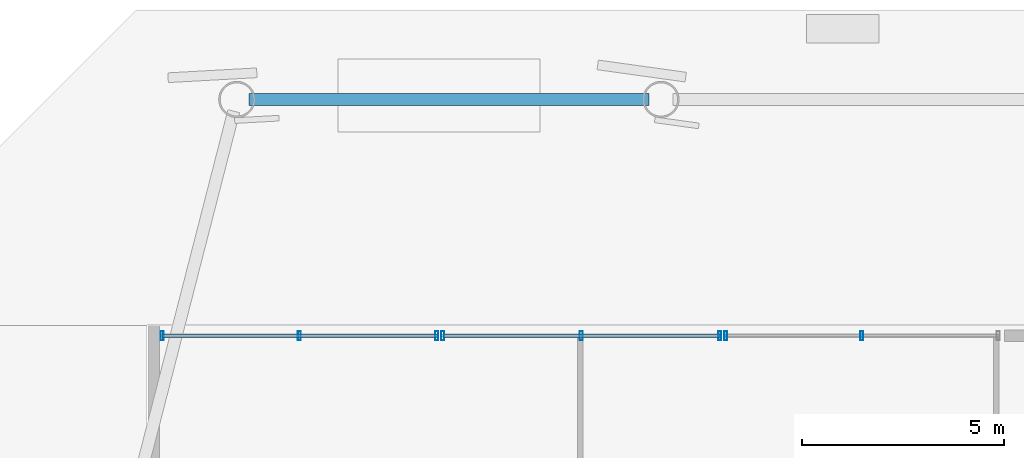
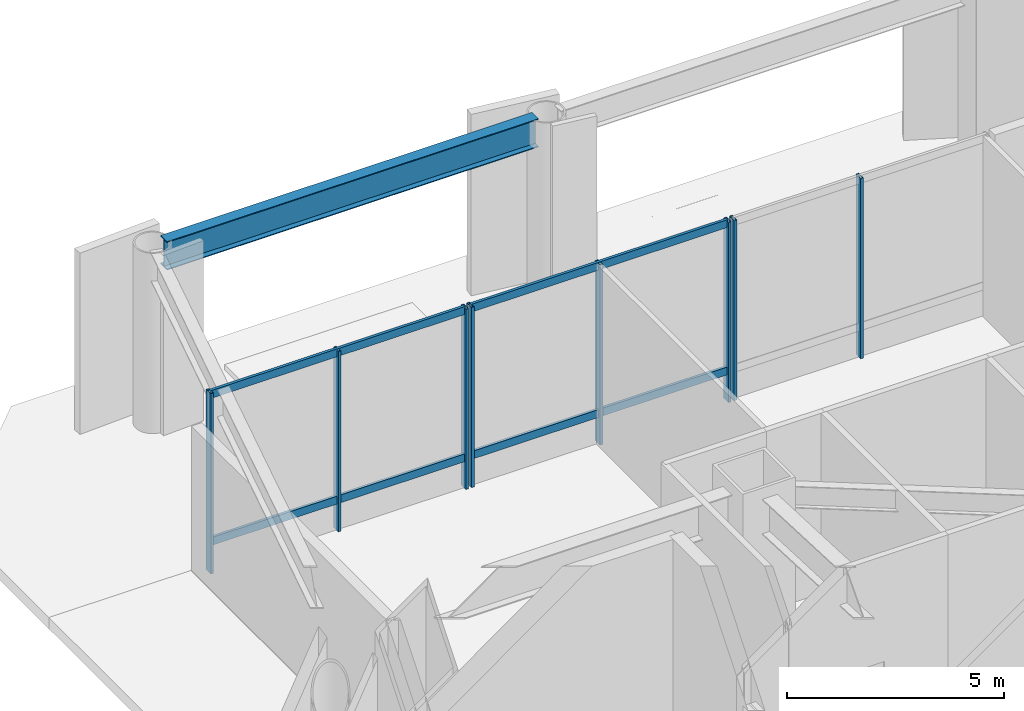
# One storey, part 4 of 19: 12 members, 1 beam, 3 elements without a shape of their own.
"""IFC4 building model written with IfcOpenShell, lengths in metres."""

from ifc_helpers import new_model, si_unit, direction, frame, origin, origin_2d, place, context, subcontext, project, spatial, hollow_rectangle, i_section, extrude, source, transform, mapped, material, material_profile, profile_set, type_object, type_shapes, element, aggregate, save


model = new_model("IFC4")

# Units and contexts
model_context = context("Model", 3, precision=1e-05, world=origin(), true_north=direction((0.0, 1.0)))
body_context = subcontext(model_context, "Body", "Model", "MODEL_VIEW")
ifc_project = project(units=[si_unit("LENGTHUNIT", "METRE"), si_unit("AREAUNIT", "SQUARE_METRE"), si_unit("VOLUMEUNIT", "CUBIC_METRE"), si_unit("PLANEANGLEUNIT", "RADIAN"), si_unit("MASSUNIT", "GRAM", prefix="KILO")], contexts=[model_context])

# Site, building, storey
site_placement = place(None, origin())
site = spatial("IfcSite", under=ifc_project, at=site_placement, CompositionType="ELEMENT")
building_placement = place(site_placement, origin())
building = spatial("IfcBuilding", under=site, at=building_placement, Name="Caelisora Broadcast Tower", CompositionType="ELEMENT")
storey_placement = place(building_placement, origin())
storey = spatial("IfcBuildingStorey", under=building, at=storey_placement, Name="L00", CompositionType="ELEMENT", Elevation=0.0)

# Beam
ifc_material_1 = material(Name="Steel Grade 350 (AS/NZS 3679.2)", Category="steel")
ifc_material_profile_1 = material_profile(ifc_material_1, i_section(OverallWidth=0.300048828125, OverallDepth=0.800048828125, WebThickness=0.013916015625, FlangeThickness=0.02392578125, at=origin_2d()), Name="Steel Grade 350 (AS/NZS 3679.2)")
ifc_profile_set_1 = profile_set([ifc_material_profile_1], Name="Steel Grade 350 (AS/NZS 3679.2)")
beam_type = type_object("IfcBeamType", Name="PG02", PredefinedType="BEAM", material=ifc_profile_set_1)
shared_shape_1 = source(origin(), body_context, "Body", "SweptSolid", [
    extrude(i_section(OverallWidth=0.300048828125, OverallDepth=0.800048828125, WebThickness=0.013916015625, FlangeThickness=0.02392578125, at=origin_2d()), origin(), (0.0, 0.0, 1.0), 9.89990234375),
])
type_shapes(beam_type, [shared_shape_1])
beam_placement = place(storey_placement, frame((6.300048828125, 55.800048828125, 4.679931640625), z_axis=(1.0, 0.0, 0.0), x_axis=(0.0, 1.0, 0.0)))
element("IfcBeam", 1, at=beam_placement, inside=storey, type_object=beam_type, Name="L00 beam PG02", PredefinedType="BEAM", context=body_context, shape_type="MappedRepresentation", body=[
    mapped(shared_shape_1, transform((0.0, 0.0, 0.0), scale=1.0)),
])

# Curtain wall, members
ifc_material_2 = material(Name="Unitised Aluminium and Low-E Glass Curtain Wall", Category="glass")
curtain_wall_type = type_object("IfcCurtainWallType", Name="CW-COL", PredefinedType="NOTDEFINED", material=ifc_material_2)
curtain_wall_1_placement = place(storey_placement, origin())
curtain_wall_1 = element("IfcCurtainWall", 2, at=curtain_wall_1_placement, inside=storey, type_object=curtain_wall_type, Name="L00 curtain wall CW-COL", PredefinedType="NOTDEFINED")
ifc_material_3 = material(Name="Aluminium 6063-T6 Anodised Terracotta Bronze", Category="aluminium")
ifc_material_profile_2 = material_profile(ifc_material_3, hollow_rectangle(XDim=0.074951171875, YDim=0.219970703125, WallThickness=0.00390625, at=origin_2d()), Name="Aluminium 6063-T6 Anodised Terracotta Bronze")
ifc_profile_set_2 = profile_set([ifc_material_profile_2], Name="Aluminium 6063-T6 Anodised Terracotta Bronze")
member_type_1 = type_object("IfcMemberType", Name="CWM-01", PredefinedType="MULLION", material=ifc_profile_set_2)
shared_shape_2 = source(origin(), body_context, "Body", "SweptSolid", [
    extrude(hollow_rectangle(XDim=0.074951171875, YDim=0.219970703125, WallThickness=0.00390625, at=origin_2d()), origin(), (0.0, 0.0, 1.0), 5.080078125),
])
type_shapes(member_type_1, [shared_shape_2])
member_1_placement = place(storey_placement, frame((4.14990234375, 49.949951171875, 0.0), z_axis=(0.0, 0.0, 1.0), x_axis=(1.0, 0.0, 0.0)))
member_1 = element("IfcMember", 3, at=member_1_placement, type_object=member_type_1, Name="L00-CW-COL-1 mullion #0", PredefinedType="MULLION", context=body_context, shape_type="MappedRepresentation", body=[
    mapped(shared_shape_2, transform((0.0, 0.0, 0.0), scale=1.0)),
])
member_2_placement = place(storey_placement, frame((7.550048828125, 49.949951171875, 0.0), z_axis=(0.0, 0.0, 1.0), x_axis=(1.0, 0.0, 0.0)))
member_2 = element("IfcMember", 4, at=member_2_placement, type_object=member_type_1, Name="L00-CW-COL-1 mullion #1", PredefinedType="MULLION", context=body_context, shape_type="MappedRepresentation", body=[
    mapped(shared_shape_2, transform((0.0, 0.0, 0.0), scale=1.0)),
])
member_3_placement = place(storey_placement, frame((10.949951171875, 49.949951171875, 0.0), z_axis=(0.0, 0.0, 1.0), x_axis=(1.0, 0.0, 0.0)))
member_3 = element("IfcMember", 5, at=member_3_placement, type_object=member_type_1, Name="L00-CW-COL-1 mullion #2", PredefinedType="MULLION", context=body_context, shape_type="MappedRepresentation", body=[
    mapped(shared_shape_2, transform((0.0, 0.0, 0.0), scale=1.0)),
])

curtain_wall_2_placement = place(storey_placement, origin())
curtain_wall_2 = element("IfcCurtainWall", 6, at=curtain_wall_2_placement, inside=storey, type_object=curtain_wall_type, Name="L00 curtain wall CW-COL", PredefinedType="NOTDEFINED")
member_4_placement = place(storey_placement, frame((11.10009765625, 49.949951171875, 0.0), z_axis=(0.0, 0.0, 1.0), x_axis=(1.0, 0.0, 0.0)))
member_4 = element("IfcMember", 7, at=member_4_placement, type_object=member_type_1, Name="L00-CW-COL-2 mullion #0", PredefinedType="MULLION", context=body_context, shape_type="MappedRepresentation", body=[
    mapped(shared_shape_2, transform((0.0, 0.0, 0.0), scale=1.0)),
])
member_5_placement = place(storey_placement, frame((14.52490234375, 49.949951171875, 0.0), z_axis=(0.0, 0.0, 1.0), x_axis=(1.0, 0.0, 0.0)))
member_5 = element("IfcMember", 8, at=member_5_placement, type_object=member_type_1, Name="L00-CW-COL-2 mullion #1", PredefinedType="MULLION", context=body_context, shape_type="MappedRepresentation", body=[
    mapped(shared_shape_2, transform((0.0, 0.0, 0.0), scale=1.0)),
])
member_6_placement = place(storey_placement, frame((17.949951171875, 49.949951171875, 0.0), z_axis=(0.0, 0.0, 1.0), x_axis=(1.0, 0.0, 0.0)))
member_6 = element("IfcMember", 9, at=member_6_placement, type_object=member_type_1, Name="L00-CW-COL-2 mullion #2", PredefinedType="MULLION", context=body_context, shape_type="MappedRepresentation", body=[
    mapped(shared_shape_2, transform((0.0, 0.0, 0.0), scale=1.0)),
])

curtain_wall_3_placement = place(storey_placement, origin())
curtain_wall_3 = element("IfcCurtainWall", 10, at=curtain_wall_3_placement, inside=storey, type_object=curtain_wall_type, Name="L00 curtain wall CW-COL", PredefinedType="NOTDEFINED")
member_7_placement = place(storey_placement, frame((18.10009765625, 49.949951171875, 0.0), z_axis=(0.0, 0.0, 1.0), x_axis=(1.0, 0.0, 0.0)))
member_7 = element("IfcMember", 11, at=member_7_placement, type_object=member_type_1, Name="L00-CW-COL-3 mullion #0", PredefinedType="MULLION", context=body_context, shape_type="MappedRepresentation", body=[
    mapped(shared_shape_2, transform((0.0, 0.0, 0.0), scale=1.0)),
])
member_8_placement = place(storey_placement, frame((21.47509765625, 49.949951171875, 0.0), z_axis=(0.0, 0.0, 1.0), x_axis=(1.0, 0.0, 0.0)))
member_8 = element("IfcMember", 12, at=member_8_placement, type_object=member_type_1, Name="L00-CW-COL-3 mullion #1", PredefinedType="MULLION", context=body_context, shape_type="MappedRepresentation", body=[
    mapped(shared_shape_2, transform((0.0, 0.0, 0.0), scale=1.0)),
])
aggregate(curtain_wall_3, [member_7, member_8])

# Member
ifc_material_profile_3 = material_profile(ifc_material_3, hollow_rectangle(XDim=0.074951171875, YDim=0.219970703125, WallThickness=0.00390625, at=origin_2d()), Name="Aluminium 6063-T6 Anodised Terracotta Bronze")
ifc_profile_set_3 = profile_set([ifc_material_profile_3], Name="Aluminium 6063-T6 Anodised Terracotta Bronze")
member_type_2 = type_object("IfcMemberType", Name="CWT-04", PredefinedType="USERDEFINED", material=ifc_profile_set_3)
shared_shape_3 = source(origin(), body_context, "Body", "SweptSolid", [
    extrude(hollow_rectangle(XDim=0.074951171875, YDim=0.219970703125, WallThickness=0.00390625, at=origin_2d()), origin(), (0.0, 0.0, 1.0), 6.800048828125),
])
member_9_placement = place(storey_placement, frame((4.14990234375, 49.949951171875, 0.85009765625), z_axis=(1.0, 0.0, 0.0), x_axis=(0.0, 1.0, 0.0)))
member_9 = element("IfcMember", 13, at=member_9_placement, type_object=member_type_2, Name="L00-CW-COL-1 transom #1", ObjectType="TRANSOM", PredefinedType="USERDEFINED", context=body_context, shape_type="MappedRepresentation", body=[
    mapped(shared_shape_3, transform((0.0, 0.0, 0.0), scale=1.0)),
])

member_10_placement = place(storey_placement, frame((4.14990234375, 49.949951171875, 5.0), z_axis=(1.0, 0.0, 0.0), x_axis=(0.0, 1.0, 0.0)))
member_10 = element("IfcMember", 14, at=member_10_placement, type_object=member_type_2, Name="L00-CW-COL-1 transom #2", ObjectType="TRANSOM", PredefinedType="USERDEFINED", context=body_context, shape_type="MappedRepresentation", body=[
    mapped(shared_shape_3, transform((0.0, 0.0, 0.0), scale=1.0)),
])

aggregate(curtain_wall_1, [member_1, member_2, member_3, member_9, member_10])

shared_shape_4 = source(origin(), body_context, "Body", "SweptSolid", [
    extrude(hollow_rectangle(XDim=0.074951171875, YDim=0.219970703125, WallThickness=0.00390625, at=origin_2d()), origin(), (0.0, 0.0, 1.0), 6.849853515625),
])
type_shapes(member_type_2, [shared_shape_3, shared_shape_4])
member_11_placement = place(storey_placement, frame((11.10009765625, 49.949951171875, 0.85009765625), z_axis=(1.0, 0.0, 0.0), x_axis=(0.0, 1.0, 0.0)))
member_11 = element("IfcMember", 15, at=member_11_placement, type_object=member_type_2, Name="L00-CW-COL-2 transom #1", ObjectType="TRANSOM", PredefinedType="USERDEFINED", context=body_context, shape_type="MappedRepresentation", body=[
    mapped(shared_shape_4, transform((0.0, 0.0, 0.0), scale=1.0)),
])

member_12_placement = place(storey_placement, frame((11.10009765625, 49.949951171875, 5.0), z_axis=(1.0, 0.0, 0.0), x_axis=(0.0, 1.0, 0.0)))
member_12 = element("IfcMember", 16, at=member_12_placement, type_object=member_type_2, Name="L00-CW-COL-2 transom #2", ObjectType="TRANSOM", PredefinedType="USERDEFINED", context=body_context, shape_type="MappedRepresentation", body=[
    mapped(shared_shape_4, transform((0.0, 0.0, 0.0), scale=1.0)),
])

aggregate(curtain_wall_2, [member_4, member_5, member_6, member_11, member_12])

save(model, "model.ifc")
